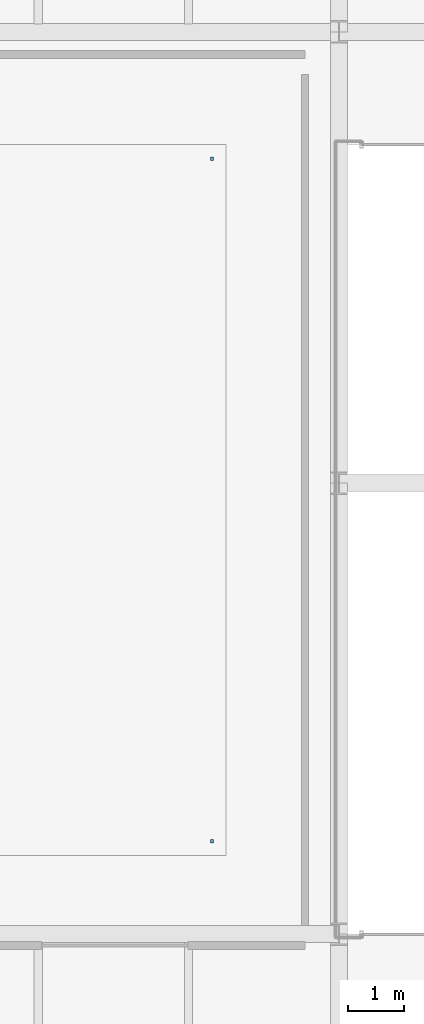
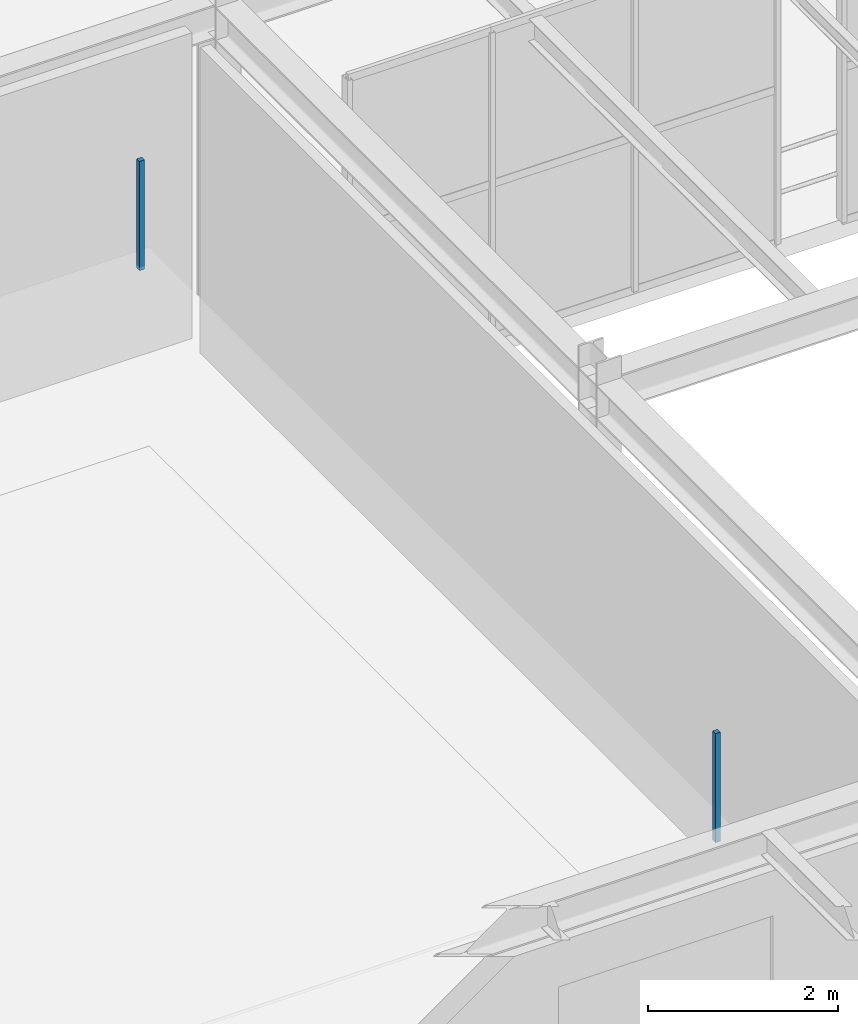
# One storey, part 51 of 67: 2 discrete accessories.
"""IFC4 building model written with IfcOpenShell, lengths in metres."""

from ifc_helpers import new_model, si_unit, direction, frame, origin, origin_2d, place, context, subcontext, project, spatial, rectangle, extrude, material, type_object, element, save


model = new_model("IFC4")

# Units and contexts
model_context = context("Model", 3, precision=1e-05, world=origin(), true_north=direction((0.0, 1.0)))
body_context = subcontext(model_context, "Body", "Model", "MODEL_VIEW")
ifc_project = project(units=[si_unit("LENGTHUNIT", "METRE"), si_unit("AREAUNIT", "SQUARE_METRE"), si_unit("VOLUMEUNIT", "CUBIC_METRE"), si_unit("PLANEANGLEUNIT", "RADIAN"), si_unit("MASSUNIT", "GRAM", prefix="KILO")], contexts=[model_context])

# Site, building, storey
site_placement = place(None, origin())
site = spatial("IfcSite", under=ifc_project, at=site_placement, CompositionType="ELEMENT")
building_placement = place(site_placement, origin())
building = spatial("IfcBuilding", under=site, at=building_placement, Name="Sundkrona Museum", CompositionType="ELEMENT")
storey_placement = place(building_placement, frame((0.0, 0.0, 21.800048828125)))
storey = spatial("IfcBuildingStorey", under=building, at=storey_placement, Name="L04", CompositionType="ELEMENT", Elevation=21.800048828125)

# Discrete accessories
ifc_material = material(Name="Stainless Steel EN 1.4404 Cleat", Category="steel")
discrete_accessory_type = type_object("IfcDiscreteAccessoryType", Name="BRK-FIN-01", PredefinedType="BRACKET", material=ifc_material)
for number, where, z_axis, x_axis, name in (
    (1, (133.75, 17.64990234375, 2.550048828125), (0.0, 0.0, 1.0), (1.0, 0.0, 0.0), "L04 Baltic Modernism Cabinet Ceiling Hanger 2"),
    (2, (133.75, 29.75, 2.550048828125), (0.0, 0.0, 1.0), (1.0, 0.0, 0.0), "L04 Baltic Modernism Cabinet Ceiling Hanger 3"),
):
    element("IfcDiscreteAccessory", number, at=place(storey_placement, frame(where, z_axis=z_axis, x_axis=x_axis)), inside=storey, type_object=discrete_accessory_type, Name=name, PredefinedType="BRACKET", context=body_context, shape_type="SweptSolid", body=[
        extrude(rectangle(XDim=0.06005859375, YDim=0.06005859375, at=origin_2d()), origin(), (0.0, 0.0, 1.0), 1.39990234375),
    ])

save(model, "model.ifc")
